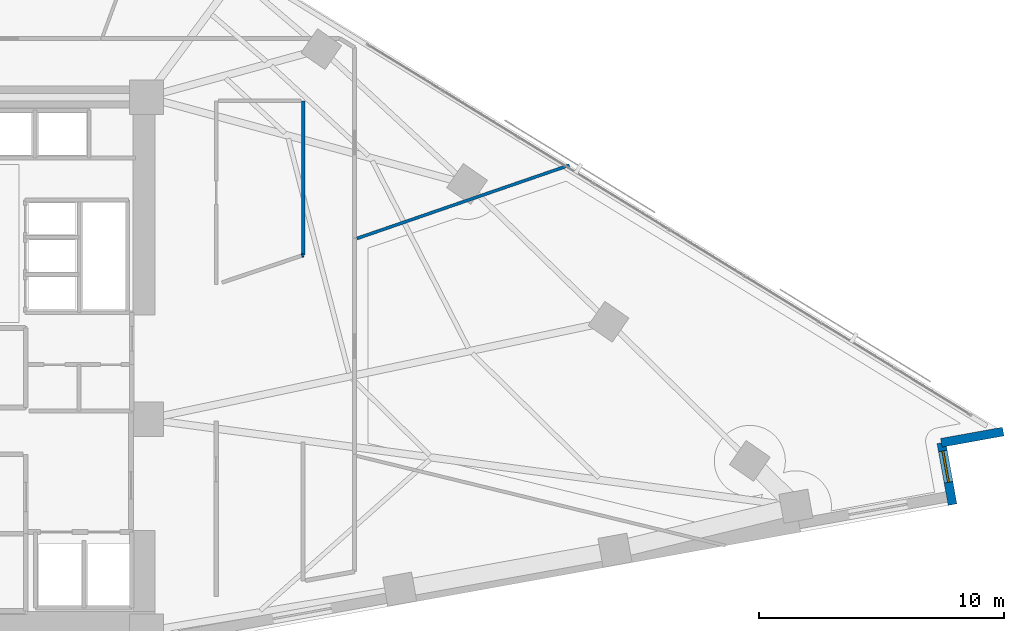
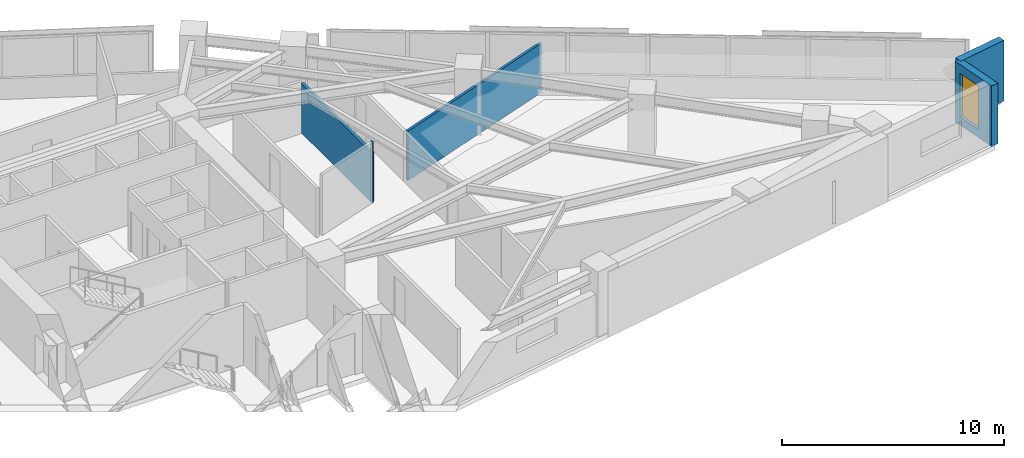
# One storey, part 15 of 18: 5 walls, 1 window, 1 opening.
"""IFC4 building model written with IfcOpenShell, lengths in metres."""

from ifc_helpers import new_model, si_unit, direction, frame, frame_2d, origin, place, context, subcontext, project, spatial, rectangle, extrude, material, layer, layer_set, type_object, element, fill, save


model = new_model("IFC4")

# Units and contexts
model_context = context("Model", 3, precision=1e-05, world=origin(), true_north=direction((0.0, 1.0)))
body_context = subcontext(model_context, "Body", "Model", "MODEL_VIEW")
ifc_project = project(units=[si_unit("LENGTHUNIT", "METRE"), si_unit("AREAUNIT", "SQUARE_METRE"), si_unit("VOLUMEUNIT", "CUBIC_METRE"), si_unit("PLANEANGLEUNIT", "RADIAN"), si_unit("MASSUNIT", "GRAM", prefix="KILO")], contexts=[model_context])

# Site, building, storey
site_placement = place(None, origin())
site = spatial("IfcSite", under=ifc_project, at=site_placement, CompositionType="ELEMENT")
building_placement = place(site_placement, origin())
building = spatial("IfcBuilding", under=site, at=building_placement, Name="Narakoshi Arena Tower", CompositionType="ELEMENT")
storey_placement = place(building_placement, frame((0.0, 0.0, 99.300048828125)))
storey = spatial("IfcBuildingStorey", under=building, at=storey_placement, Name="L26", CompositionType="ELEMENT", Elevation=99.300048828125)

# Wall
ifc_material_1 = material(Name="Gypsum plasterboard fire-rated partition")
ifc_layer_1 = layer(ifc_material_1, 0.125)
ifc_layer_set_1 = layer_set([ifc_layer_1], Name="Gypsum plasterboard fire-rated partition")
wall_type_1 = type_object("IfcWallType", Name="WL-PART-125", PredefinedType="PARTITIONING", material=ifc_layer_set_1)
wall_1_placement = place(storey_placement, frame((94.14453125, 50.732421875, 0.0), z_axis=(0.0, 0.0, 1.0), x_axis=(0.945341886098, 0.326080846399, 0.0)))
element("IfcWall", 1, at=wall_1_placement, inside=storey, type_object=wall_type_1, Name="L26 Inter-Room Partition 04-06", PredefinedType="PARTITIONING", context=body_context, shape_type="SweptSolid", body=[
    extrude(rectangle(XDim=9.17919921875, YDim=0.125, at=frame_2d((4.589599609375, 0.0))), origin(), (0.0, 0.0, 1.0), 2.724853515625),
])

# Wall, opening, window
ifc_material_2 = material(Name="Precast concrete C45/55", Category="concrete")
ifc_layer_2 = layer(ifc_material_2, 0.419921875)
ifc_layer_set_2 = layer_set([ifc_layer_2], Name="Precast concrete C45/55")
wall_type_2 = type_object("IfcWallType", Name="WL-POD-420", PredefinedType="SOLIDWALL", material=ifc_layer_set_2)
wall_2_placement = place(storey_placement, frame((118.466796875, 39.8642578125, 0.0), z_axis=(0.0, 0.0, 1.0), x_axis=(-0.177897493713, 0.984049024048, 0.0)))
wall_2 = element("IfcWall", 2, at=wall_2_placement, inside=storey, type_object=wall_type_2, Name="L26 Re-Entrant Corner Notch Wall NTE-1", PredefinedType="SOLIDWALL", context=body_context, shape_type="SweptSolid", body=[
    extrude(rectangle(XDim=2.56640625, YDim=0.360107421875, at=frame_2d((1.283203125, 0.0))), origin(), (0.0, 0.0, 1.0), 3.33984375),
])
opening_placement = place(wall_2_placement, frame((0.92626953125, 0.0, 0.449951171875)))
opening = element("IfcOpeningElement", 3, at=opening_placement, cuts=wall_2, Name="Opening WN-06", PredefinedType="OPENING", context=body_context, shape_type="SweptSolid", body=[
    extrude(rectangle(XDim=1.300048828125, YDim=2.39990234375, at=frame_2d((0.64990234375, 1.199951171875))), frame((0.0, 0.18994140625, 0.0), z_axis=(0.0, -1.0, 0.0), x_axis=(1.0, 0.0, 0.0)), (0.0, 0.0, 1.0), 0.380126953125),
])
ifc_material_3 = material(Name="Bronze-tinted low-E laminated glass", Category="glass")
window_type = type_object("IfcWindowType", Name="WIN-NTC-16x24", PartitioningType="SINGLE_PANEL", PredefinedType="WINDOW", material=ifc_material_3)
window_placement = place(opening_placement, origin())
window = element("IfcWindow", 4, at=window_placement, inside=storey, type_object=window_type, Name="L26 Corner Notch Window NTE", OverallHeight=2.39990234375, OverallWidth=1.300048828125, PartitioningType="SINGLE_PANEL", PredefinedType="WINDOW", context=body_context, shape_type="SweptSolid", body=[
    extrude(rectangle(XDim=1.300048828125, YDim=2.39990234375, at=frame_2d((0.64990234375, 1.199951171875))), frame((0.0, 0.030029296875, 0.0), z_axis=(0.0, -1.0, 0.0), x_axis=(1.0, 0.0, 0.0)), (0.0, 0.0, 1.0), 0.06005859375),
])
fill(opening, window)

# Walls
wall_3_placement = place(storey_placement, frame((118.01025390625, 42.3896484375, 0.0), z_axis=(0.0, 0.0, 1.0), x_axis=(0.984046012923, 0.177914149102, 0.0)))
element("IfcWall", 5, at=wall_3_placement, inside=storey, type_object=wall_type_2, Name="L26 Re-Entrant Corner Notch Wall NTE-2", PredefinedType="SOLIDWALL", context=body_context, shape_type="SweptSolid", body=[
    extrude(rectangle(XDim=2.566162109375, YDim=0.360107421875, at=frame_2d((1.283203125, 0.0))), origin(), (0.0, 0.0, 1.0), 3.33984375),
])
ifc_material_4 = material(Name="Moisture-resistant cement-board partition")
ifc_layer_3 = layer(ifc_material_4, 0.14501953125)
ifc_layer_set_3 = layer_set([ifc_layer_3], Name="Moisture-resistant cement-board partition")
wall_type_3 = type_object("IfcWallType", Name="WL-WET-145", PredefinedType="PARTITIONING", material=ifc_layer_set_3)
wall_4_placement = place(storey_placement, frame((91.949951171875, 56.35009765625, 0.0), z_axis=(0.0, 0.0, 1.0), x_axis=(0.0, -1.0, 0.0)))
element("IfcWall", 6, at=wall_4_placement, inside=storey, type_object=wall_type_3, Name="L26 Corridor Partition 05-2", PredefinedType="PARTITIONING", context=body_context, shape_type="SweptSolid", body=[
    extrude(rectangle(XDim=6.29931640625, YDim=0.14501953125, at=frame_2d((3.149658203125, 0.0))), origin(), (0.0, 0.0, 1.0), 2.724853515625),
])
wall_5_placement = place(storey_placement, frame((91.949951171875, 50.05078125, 0.0), z_axis=(0.0, 0.0, 1.0), x_axis=(-0.948683298051, -0.316227766017, 0.0)))
element("IfcWall", 7, at=wall_5_placement, inside=storey, type_object=wall_type_3, Name="L26 Corridor Partition 05-4", PredefinedType="PARTITIONING", context=body_context, shape_type="SweptSolid", body=[
    extrude(rectangle(XDim=0.063232421875, YDim=0.14501953125, at=frame_2d((0.03173828125, 0.0))), origin(), (0.0, 0.0, 1.0), 3.33984375),
])

save(model, "model.ifc")
